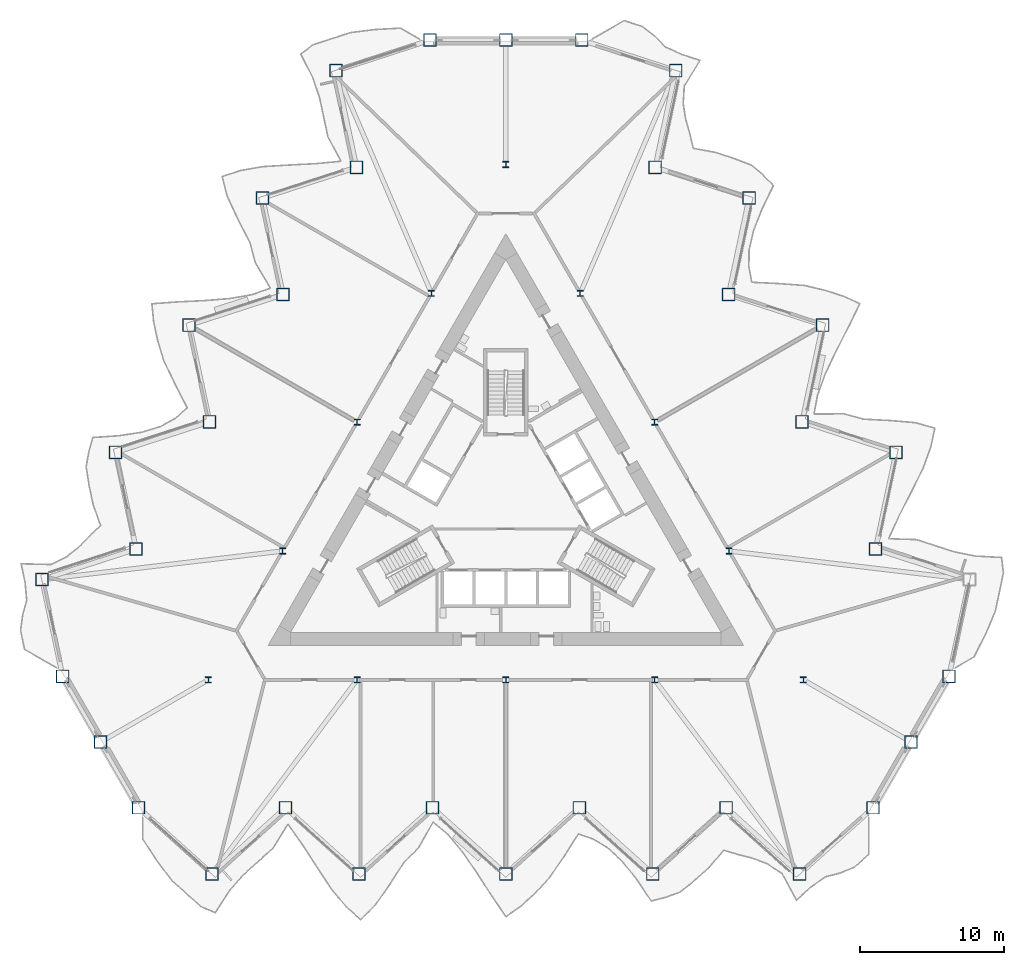
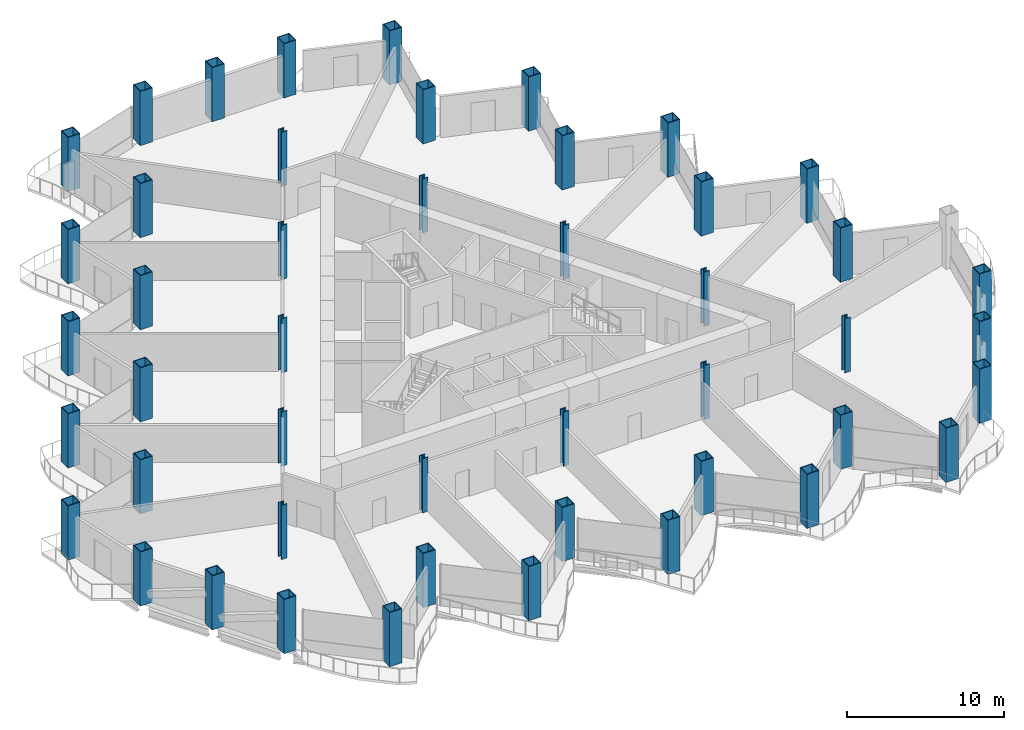
# One storey, part 1 of 21: 47 columns.
"""IFC4 building model written with IfcOpenShell, lengths in metres."""

from ifc_helpers import new_model, si_unit, direction, frame, origin, origin_2d, place, context, subcontext, project, spatial, hollow_rectangle, i_section, extrude, material, material_profile, profile_set, type_object, element, save


model = new_model("IFC4")

# Units and contexts
model_context = context("Model", 3, precision=1e-05, world=origin(), true_north=direction((0.0, 1.0)))
body_context = subcontext(model_context, "Body", "Model", "MODEL_VIEW")
ifc_project = project(units=[si_unit("LENGTHUNIT", "METRE"), si_unit("AREAUNIT", "SQUARE_METRE"), si_unit("VOLUMEUNIT", "CUBIC_METRE"), si_unit("PLANEANGLEUNIT", "RADIAN"), si_unit("MASSUNIT", "GRAM", prefix="KILO")], contexts=[model_context])

# Site, building, storey
site_placement = place(None, origin())
site = spatial("IfcSite", under=ifc_project, at=site_placement, CompositionType="ELEMENT")
building_placement = place(site_placement, origin())
building = spatial("IfcBuilding", under=site, at=building_placement, Name="Cormorant Prow Tower", CompositionType="ELEMENT")
storey_placement = place(building_placement, frame((0.0, 0.0, 129.0)))
storey = spatial("IfcBuildingStorey", under=building, at=storey_placement, Name="L27", CompositionType="ELEMENT", Elevation=129.0)

# Columns
ifc_material_1 = material(Name="Structural steel ASTM A572 Gr 50", Category="steel")
ifc_material_profile_1 = material_profile(ifc_material_1, hollow_rectangle(XDim=0.89990234375, YDim=0.89990234375, WallThickness=0.06005859375, at=origin_2d()), Name="Box 900x900x60")
ifc_profile_set_1 = profile_set([ifc_material_profile_1], Name="Structural steel ASTM A572 Gr 50")
column_type_1 = type_object("IfcColumnType", Name="Perimeter box column 900x900x60", PredefinedType="COLUMN", material=ifc_profile_set_1)
for number, where, z_axis, x_axis, name in (
    (1, (-25.499755859375, -20.80712890625, 0.0), (0.0, 0.0, 1.0), (1.0, 0.0, 0.0), "Perimeter column C3 at S00 L27"),
    (2, (-20.399658203125, -25.399169921875, 0.0), (0.0, 0.0, 1.0), (1.0, 0.0, 0.0), "Perimeter column C3 at S01 L27"),
    (3, (-15.2998046875, -20.80712890625, 0.0), (0.0, 0.0, 1.0), (1.0, 0.0, 0.0), "Perimeter column C3 at S02 L27"),
    (4, (-10.199951171875, -25.399169921875, 0.0), (0.0, 0.0, 1.0), (1.0, 0.0, 0.0), "Perimeter column C3 at S03 L27"),
    (5, (-5.099853515625, -20.80712890625, 0.0), (0.0, 0.0, 1.0), (1.0, 0.0, 0.0), "Perimeter column C3 at S04 L27"),
    (6, (0.0, -25.399169921875, 0.0), (0.0, 0.0, 1.0), (1.0, 0.0, 0.0), "Perimeter column C3 at S05 L27"),
    (7, (5.099853515625, -20.80712890625, 0.0), (0.0, 0.0, 1.0), (1.0, 0.0, 0.0), "Perimeter column C3 at S06 L27"),
    (8, (10.199951171875, -25.399169921875, 0.0), (0.0, 0.0, 1.0), (1.0, 0.0, 0.0), "Perimeter column C3 at S07 L27"),
    (9, (15.2998046875, -20.80712890625, 0.0), (0.0, 0.0, 1.0), (1.0, 0.0, 0.0), "Perimeter column C3 at S08 L27"),
    (10, (20.399658203125, -25.399169921875, 0.0), (0.0, 0.0, 1.0), (1.0, 0.0, 0.0), "Perimeter column C3 at S09 L27"),
    (11, (25.499755859375, -20.80712890625, 0.0), (0.0, 0.0, 1.0), (1.0, 0.0, 0.0), "Perimeter column C3 at ESE00 L27"),
    (12, (28.134521484375, -16.243408203125, 0.0), (0.0, 0.0, 1.0), (1.0, 0.0, 0.0), "Perimeter column C3 at ESE01 L27"),
    (13, (30.769287109375, -11.679931640625, 0.0), (0.0, 0.0, 1.0), (1.0, 0.0, 0.0), "Perimeter column C3 at ENE00 L27"),
    (14, (25.66943359375, -2.846435546875, 0.0), (0.0, 0.0, 1.0), (1.0, 0.0, 0.0), "Perimeter column C3 at ENE02 L27"),
    (15, (27.09619140625, 3.8662109375, 0.0), (0.0, 0.0, 1.0), (1.0, 0.0, 0.0), "Perimeter column C3 at ENE03 L27"),
    (16, (20.569580078125, 5.98681640625, 0.0), (0.0, 0.0, 1.0), (1.0, 0.0, 0.0), "Perimeter column C3 at ENE04 L27"),
    (17, (21.996337890625, 12.699462890625, 0.0), (0.0, 0.0, 1.0), (1.0, 0.0, 0.0), "Perimeter column C3 at ENE05 L27"),
    (18, (15.469482421875, 14.8203125, 0.0), (0.0, 0.0, 1.0), (1.0, 0.0, 0.0), "Perimeter column C3 at ENE06 L27"),
    (19, (16.896240234375, 21.532958984375, 0.0), (0.0, 0.0, 1.0), (1.0, 0.0, 0.0), "Perimeter column C3 at ENE07 L27"),
    (20, (10.36962890625, 23.653564453125, 0.0), (0.0, 0.0, 1.0), (1.0, 0.0, 0.0), "Perimeter column C3 at ENE08 L27"),
    (21, (11.79638671875, 30.3662109375, 0.0), (0.0, 0.0, 1.0), (1.0, 0.0, 0.0), "Perimeter column C3 at ENE09 L27"),
    (22, (5.269775390625, 32.487060546875, 0.0), (0.0, 0.0, 1.0), (1.0, 0.0, 0.0), "Perimeter column C3 at N00 L27"),
    (23, (0.0, 32.487060546875, 0.0), (0.0, 0.0, 1.0), (1.0, 0.0, 0.0), "Perimeter column C3 at N01 L27"),
    (24, (-5.269775390625, 32.487060546875, 0.0), (0.0, 0.0, 1.0), (1.0, 0.0, 0.0), "Perimeter column C3 at WNW00 L27"),
    (25, (-11.79638671875, 30.3662109375, 0.0), (0.0, 0.0, 1.0), (1.0, 0.0, 0.0), "Perimeter column C3 at WNW01 L27"),
    (26, (-10.36962890625, 23.653564453125, 0.0), (0.0, 0.0, 1.0), (1.0, 0.0, 0.0), "Perimeter column C3 at WNW02 L27"),
    (27, (-16.896240234375, 21.532958984375, 0.0), (0.0, 0.0, 1.0), (1.0, 0.0, 0.0), "Perimeter column C3 at WNW03 L27"),
    (28, (-15.469482421875, 14.8203125, 0.0), (0.0, 0.0, 1.0), (1.0, 0.0, 0.0), "Perimeter column C3 at WNW04 L27"),
    (29, (-21.996337890625, 12.699462890625, 0.0), (0.0, 0.0, 1.0), (1.0, 0.0, 0.0), "Perimeter column C3 at WNW05 L27"),
    (30, (-20.569580078125, 5.98681640625, 0.0), (0.0, 0.0, 1.0), (1.0, 0.0, 0.0), "Perimeter column C3 at WNW06 L27"),
    (31, (-27.09619140625, 3.8662109375, 0.0), (0.0, 0.0, 1.0), (1.0, 0.0, 0.0), "Perimeter column C3 at WNW07 L27"),
    (32, (-25.66943359375, -2.846435546875, 0.0), (0.0, 0.0, 1.0), (1.0, 0.0, 0.0), "Perimeter column C3 at WNW08 L27"),
    (33, (-32.1962890625, -4.967041015625, 0.0), (0.0, 0.0, 1.0), (1.0, 0.0, 0.0), "Perimeter column C3 at WNW09 L27"),
    (34, (-30.769287109375, -11.679931640625, 0.0), (0.0, 0.0, 1.0), (1.0, 0.0, 0.0), "Perimeter column C3 at WSW00 L27"),
    (35, (-28.134521484375, -16.243408203125, 0.0), (0.0, 0.0, 1.0), (1.0, 0.0, 0.0), "Perimeter column C3 at WSW01 L27"),
):
    element("IfcColumn", number, at=place(storey_placement, frame(where, z_axis=z_axis, x_axis=x_axis)), inside=storey, type_object=column_type_1, Name=name, PredefinedType="COLUMN", context=body_context, shape_type="SweptSolid", body=[
        extrude(hollow_rectangle(XDim=0.89990234375, YDim=0.89990234375, WallThickness=0.06005859375, at=origin_2d()), origin(), (0.0, 0.0, 1.0), 4.199951171875),
    ])
ifc_material_2 = material(Name="Structural steel ASTM A992 Gr 50", Category="steel")
ifc_material_profile_2 = material_profile(ifc_material_2, i_section(OverallWidth=0.412109375, OverallDepth=0.434814453125, WebThickness=0.035888671875, FlangeThickness=0.057373046875, at=origin_2d()), Name="W14x311")
ifc_profile_set_2 = profile_set([ifc_material_profile_2], Name="Structural steel ASTM A992 Gr 50")
column_type_2 = type_object("IfcColumnType", Name="Ring column W14x311", PredefinedType="COLUMN", material=ifc_profile_set_2)
for number, where, z_axis, x_axis, name in (
    (36, (0.0, 23.8525390625, 0.0), (0.0, 0.0, 1.0), (1.0, 0.0, 0.0), "Ring column 1 L27"),
    (37, (-5.164306640625, 14.907958984375, 0.0), (0.0, 0.0, 1.0), (1.0, 0.0, 0.0), "Ring column 2 L27"),
    (38, (-10.328369140625, 5.963134765625, 0.0), (0.0, 0.0, 1.0), (1.0, 0.0, 0.0), "Ring column 3 L27"),
    (39, (-15.49267578125, -2.981689453125, 0.0), (0.0, 0.0, 1.0), (1.0, 0.0, 0.0), "Ring column 4 L27"),
    (40, (-20.656982421875, -11.92626953125, 0.0), (0.0, 0.0, 1.0), (1.0, 0.0, 0.0), "Ring column 5 L27"),
    (41, (-10.328369140625, -11.92626953125, 0.0), (0.0, 0.0, 1.0), (1.0, 0.0, 0.0), "Ring column 6 L27"),
    (42, (0.0, -11.92626953125, 0.0), (0.0, 0.0, 1.0), (1.0, 0.0, 0.0), "Ring column 7 L27"),
    (43, (10.328369140625, -11.92626953125, 0.0), (0.0, 0.0, 1.0), (1.0, 0.0, 0.0), "Ring column 8 L27"),
    (44, (20.656982421875, -11.92626953125, 0.0), (0.0, 0.0, 1.0), (1.0, 0.0, 0.0), "Ring column 9 L27"),
    (45, (15.49267578125, -2.981689453125, 0.0), (0.0, 0.0, 1.0), (1.0, 0.0, 0.0), "Ring column 10 L27"),
    (46, (10.328369140625, 5.963134765625, 0.0), (0.0, 0.0, 1.0), (1.0, 0.0, 0.0), "Ring column 11 L27"),
    (47, (5.164306640625, 14.907958984375, 0.0), (0.0, 0.0, 1.0), (1.0, 0.0, 0.0), "Ring column 12 L27"),
):
    element("IfcColumn", number, at=place(storey_placement, frame(where, z_axis=z_axis, x_axis=x_axis)), inside=storey, type_object=column_type_2, Name=name, PredefinedType="COLUMN", context=body_context, shape_type="SweptSolid", body=[
        extrude(i_section(OverallWidth=0.412109375, OverallDepth=0.434814453125, WebThickness=0.035888671875, FlangeThickness=0.057373046875, at=origin_2d()), origin(), (0.0, 0.0, 1.0), 4.199951171875),
    ])

save(model, "model.ifc")
